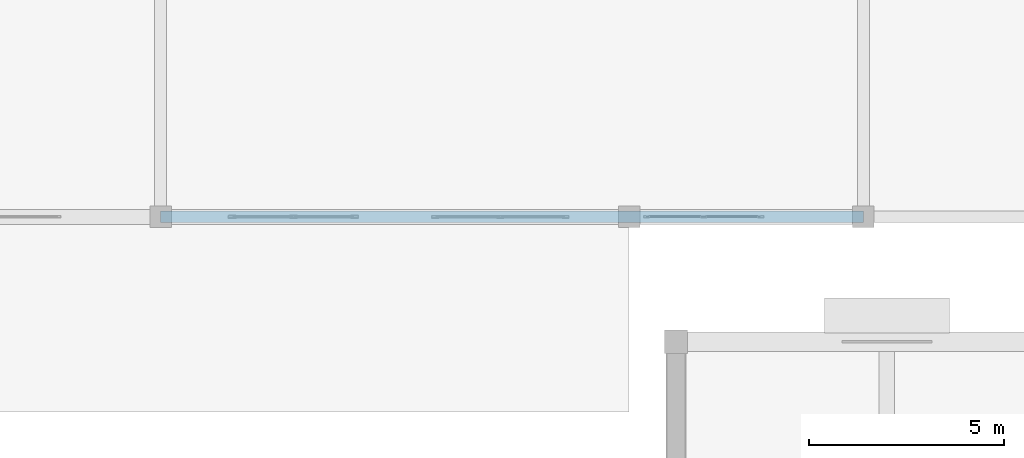
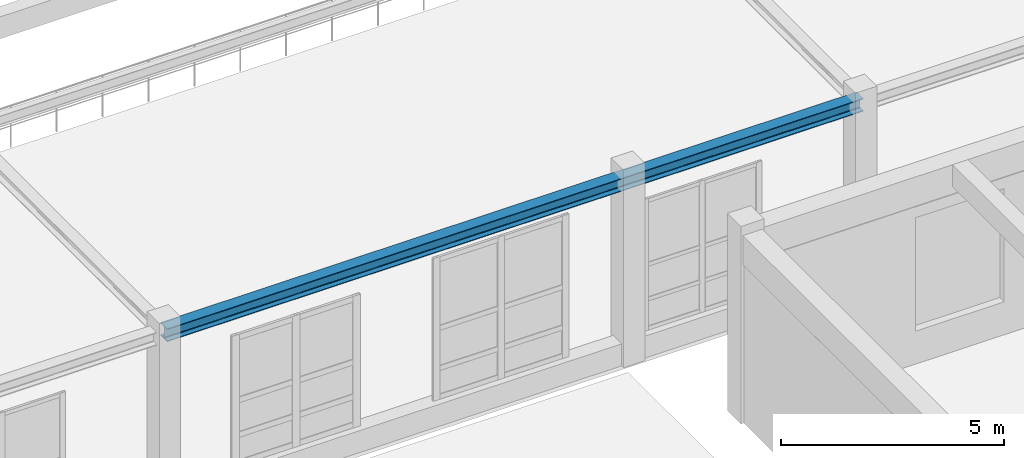
# One storey, part 58 of 197: 1 beam.
"""IFC4 building model written with IfcOpenShell, lengths in metres."""

from ifc_helpers import new_model, si_unit, derived_unit, direction, frame, origin, origin_2d, place, context, subcontext, project, spatial, i_section, extrude, material, material_profile, profile_set, type_object, element, save


model = new_model("IFC4")

# Units and contexts
model_context = context("Model", 3, precision=1e-05, world=origin(), true_north=direction((0.0, 1.0)))
body_context = subcontext(model_context, "Body", "Model", "MODEL_VIEW")
ifc_project = project(units=[si_unit("LENGTHUNIT", "METRE"), si_unit("AREAUNIT", "SQUARE_METRE"), si_unit("VOLUMEUNIT", "CUBIC_METRE"), si_unit("PLANEANGLEUNIT", "RADIAN"), si_unit("MASSUNIT", "GRAM", prefix="KILO"), derived_unit("THERMALTRANSMITTANCEUNIT", [(si_unit("POWERUNIT", "WATT"), 1), (si_unit("LENGTHUNIT", "METRE"), -2), (si_unit("THERMODYNAMICTEMPERATUREUNIT", "KELVIN"), -1)])], contexts=[model_context])

# Site, building, storey
site_placement = place(None, origin())
site = spatial("IfcSite", under=ifc_project, at=site_placement, CompositionType="ELEMENT")
building_placement = place(site_placement, origin())
building = spatial("IfcBuilding", under=site, at=building_placement, Name="Almenara Railside Exhibition Hall", CompositionType="ELEMENT")
storey_placement = place(building_placement, frame((0.0, 0.0, 5.39990234375)))
storey = spatial("IfcBuildingStorey", under=building, at=storey_placement, Name="L01", CompositionType="ELEMENT", Elevation=5.39990234375)

# Beam
ifc_material = material(Name="Structural steel S355JR", Category="steel")
ifc_material_profile = material_profile(ifc_material, i_section(OverallWidth=0.300048828125, OverallDepth=0.35009765625, WebThickness=0.010009765625, FlangeThickness=0.017578125, FilletRadius=0.027099609375, at=origin_2d()), Name="HEA 360")
ifc_profile_set = profile_set([ifc_material_profile], Name="Structural steel S355JR")
beam_type = type_object("IfcBeamType", Name="Steel Concourse Frame Beam HEA 360 S355JR", PredefinedType="BEAM", material=ifc_profile_set)
beam_placement = place(storey_placement, frame((102.0, 36.0, 4.9111328125), z_axis=(1.0, 0.0, 0.0), x_axis=(0.0, 1.0, 0.0)))
element("IfcBeam", 1, at=beam_placement, inside=storey, type_object=beam_type, Name="Beam 0783", PredefinedType="BEAM", context=body_context, shape_type="SweptSolid", body=[
    extrude(i_section(OverallWidth=0.300048828125, OverallDepth=0.35009765625, WebThickness=0.010009765625, FlangeThickness=0.017578125, FilletRadius=0.027099609375, at=origin_2d()), origin(), (0.0, 0.0, 1.0), 18.0),
])

save(model, "model.ifc")
